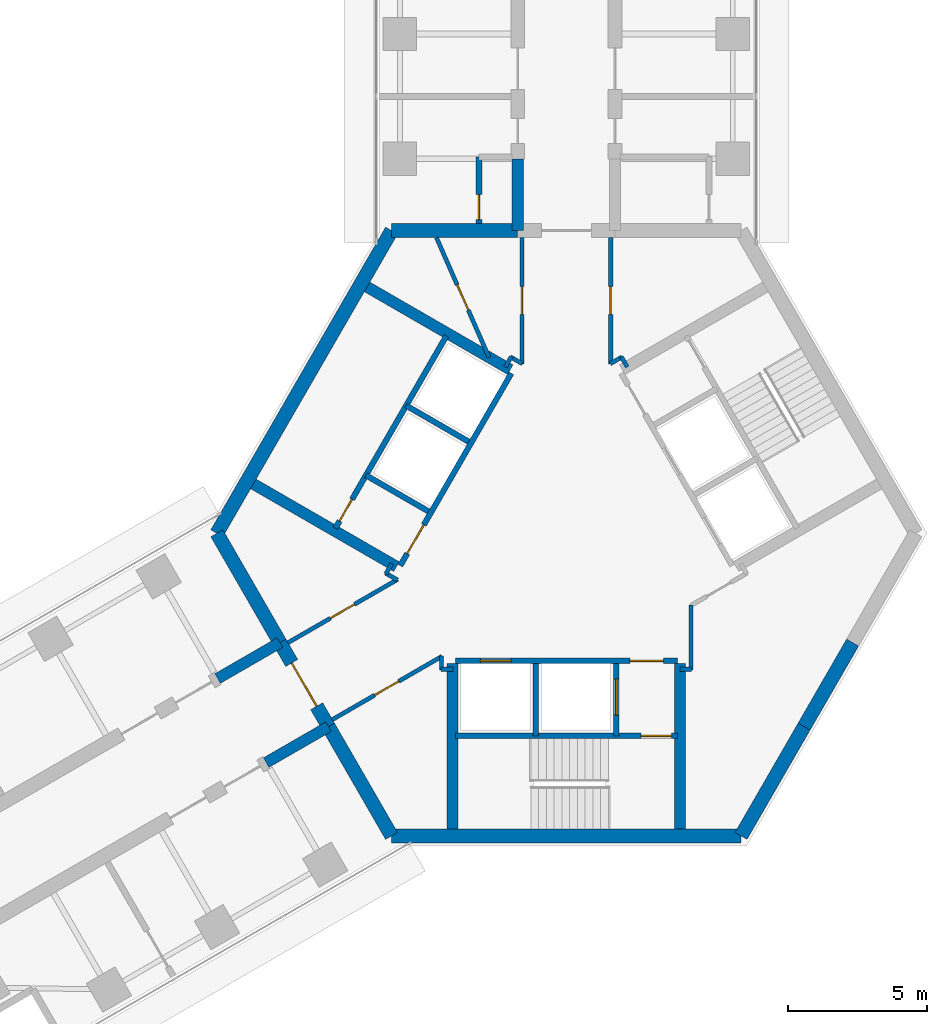
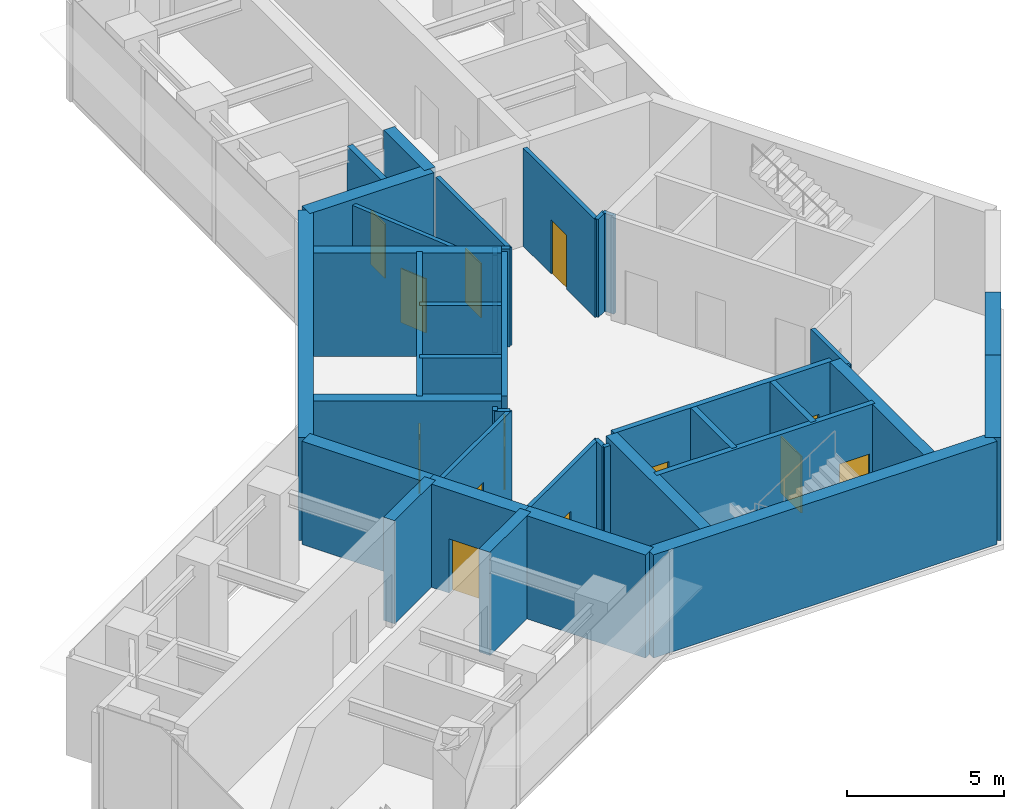
# One storey, part 14 of 17: 39 walls, 13 doors, 13 openings.
"""IFC4 building model written with IfcOpenShell, lengths in metres."""

from ifc_helpers import new_model, si_unit, direction, frame, frame_2d, origin, place, context, subcontext, project, spatial, rectangle, extrude, material, layer, layer_set, type_object, element, fill, save


model = new_model("IFC4")

# Units and contexts
model_context = context("Model", 3, precision=1e-05, world=origin(), true_north=direction((0.0, 1.0)))
body_context = subcontext(model_context, "Body", "Model", "MODEL_VIEW")
ifc_project = project(units=[si_unit("LENGTHUNIT", "METRE"), si_unit("AREAUNIT", "SQUARE_METRE"), si_unit("VOLUMEUNIT", "CUBIC_METRE"), si_unit("PLANEANGLEUNIT", "RADIAN"), si_unit("MASSUNIT", "GRAM", prefix="KILO")], contexts=[model_context])

# Site, building, storey
site_placement = place(None, origin())
site = spatial("IfcSite", under=ifc_project, at=site_placement, CompositionType="ELEMENT")
building_placement = place(site_placement, origin())
building = spatial("IfcBuilding", under=site, at=building_placement, Name="Upepo Twin Towers", CompositionType="ELEMENT")
storey_placement = place(building_placement, frame((0.0, 0.0, 174.5)))
storey = spatial("IfcBuildingStorey", under=building, at=storey_placement, Name="L42", CompositionType="ELEMENT", Elevation=174.5)

# Wall, opening, door
ifc_material_1 = material(Name="Concrete blockwork, plastered both faces", Category="masonry")
ifc_layer_1 = layer(ifc_material_1, 0.215087890625)
ifc_layer_set_1 = layer_set([ifc_layer_1], Name="Blockwork partition 215")
wall_type_1 = type_object("IfcWallType", Name="Blockwork partition 215", PredefinedType="PARTITIONING", material=ifc_layer_set_1)
wall_1_placement = place(storey_placement, frame((55.35009765625, -6.842041015625, 0.0), z_axis=(0.0, 0.0, 1.0), x_axis=(0.0, 1.0, 0.0)))
wall_1 = element("IfcWall", 1, at=wall_1_placement, inside=storey, type_object=wall_type_1, Name="T2 WC bay partition AL at 11.16", PredefinedType="PARTITIONING", context=body_context, shape_type="SweptSolid", body=[
    extrude(rectangle(XDim=2.400146484375, YDim=0.215087890625, at=frame_2d((1.2001953125, 0.0))), origin(), (0.0, 0.0, 1.0), 3.800048828125),
])
opening_1_placement = place(wall_1_placement, frame((0.14990234375, 0.0, 0.0)))
opening_1 = element("IfcOpeningElement", 2, at=opening_1_placement, cuts=wall_1, Name="Opening D14", PredefinedType="OPENING", context=body_context, shape_type="SweptSolid", body=[
    extrude(rectangle(XDim=0.89990234375, YDim=2.10009765625, at=frame_2d((0.449951171875, 1.050048828125))), frame((0.0, 0.117431640625, 0.0), z_axis=(0.0, -1.0, 0.0), x_axis=(1.0, 0.0, 0.0)), (0.0, 0.0, 1.0), 0.235107421875),
])
ifc_material_2 = material(Name="Timber doorset", Category="wood")
door_type_1 = type_object("IfcDoorType", Name="Office door 900 FD30", OperationType="SINGLE_SWING_LEFT", PredefinedType="DOOR", material=ifc_material_2)
door_1_placement = place(opening_1_placement, origin())
door_1 = element("IfcDoor", 3, at=door_1_placement, inside=storey, type_object=door_type_1, Name="T2 L42 WC bay inner room door", OperationType="SINGLE_SWING_LEFT", OverallHeight=2.10009765625, OverallWidth=0.89990234375, PredefinedType="DOOR", context=body_context, shape_type="SweptSolid", body=[
    extrude(rectangle(XDim=0.89990234375, YDim=2.10009765625, at=frame_2d((0.449951171875, 1.050048828125))), frame((0.0, 0.02490234375, 0.0), z_axis=(0.0, -1.0, 0.0), x_axis=(1.0, 0.0, 0.0)), (0.0, 0.0, 1.0), 0.050048828125),
])
fill(opening_1, door_1)

# Walls
ifc_material_3 = material(Name="Concrete C60/75", Category="concrete")
ifc_layer_2 = layer(ifc_material_3, 0.39990234375)
ifc_layer_set_2 = layer_set([ifc_layer_2], Name="Concrete C60/75")
wall_type_2 = type_object("IfcWallType", Name="Buttress wall 400 RC", PredefinedType="SHEAR", material=ifc_layer_set_2)
wall_2_placement = place(storey_placement, frame((56.75, -7.091552734375, 0.0), z_axis=(0.0, 0.0, 1.0), x_axis=(0.0, 1.0, 0.0)))
element("IfcWall", 4, at=wall_2_placement, inside=storey, type_object=wall_type_2, Name="T2 wing A buttress wall L", PredefinedType="SHEAR", context=body_context, shape_type="SweptSolid", body=[
    extrude(rectangle(XDim=2.591552734375, YDim=0.39990234375, at=frame_2d((1.2958984375, 0.0))), origin(), (0.0, 0.0, 1.0), 4.0),
])
for number, where, z_axis, x_axis, name in (
    (5, (49.92822265625, -24.9697265625, 0.0), (0.0, 0.0, 1.0), (-0.866031863473, -0.499988811324, 0.0), "T2 wing B buttress wall L"),
    (6, (48.17822265625, -21.938720703125, 0.0), (0.0, 0.0, 1.0), (-0.866072649678, -0.499918158782, 0.0), "T2 wing B buttress wall R"),
):
    element("IfcWall", number, at=place(storey_placement, frame(where, z_axis=z_axis, x_axis=x_axis)), inside=storey, type_object=wall_type_2, Name=name, PredefinedType="SHEAR", context=body_context, shape_type="SweptSolid", body=[
        extrude(rectangle(XDim=2.591796875, YDim=0.39990234375, at=frame_2d((1.2958984375, 0.0))), origin(), (0.0, 0.0, 1.0), 4.0),
    ])
ifc_material_4 = material(Name="Concrete C60/75", Category="concrete")
ifc_layer_3 = layer(ifc_material_4, 0.5)
ifc_layer_set_3 = layer_set([ifc_layer_3], Name="Concrete C60/75")
wall_type_3 = type_object("IfcWallType", Name="Core wall 500 RC", PredefinedType="SHEAR", material=ifc_layer_set_3)
wall_3_placement = place(storey_placement, frame((56.75, -7.091552734375, 0.0), z_axis=(0.0, 0.0, 1.0), x_axis=(-1.0, 0.0, 0.0)))
element("IfcWall", 7, at=wall_3_placement, inside=storey, type_object=wall_type_3, Name="T2 core wall 000 L", PredefinedType="SHEAR", context=body_context, shape_type="SweptSolid", body=[
    extrude(rectangle(XDim=4.5478515625, YDim=0.5, at=frame_2d((2.27392578125, 0.0))), origin(), (0.0, 0.0, 1.0), 4.0),
])
wall_4_placement = place(storey_placement, frame((52.2021484375, -7.091552734375, 0.0), z_axis=(0.0, 0.0, 1.0), x_axis=(-0.500005998175, -0.866021940709, 0.0)))
element("IfcWall", 8, at=wall_4_placement, inside=storey, type_object=wall_type_3, Name="T2 core wall 060", PredefinedType="SHEAR", context=body_context, shape_type="SweptSolid", body=[
    extrude(rectangle(XDim=12.595947265625, YDim=0.5, at=frame_2d((6.2978515625, 0.0))), origin(), (0.0, 0.0, 1.0), 4.0),
])
wall_5_placement = place(storey_placement, frame((45.904052734375, -18.0, 0.0), z_axis=(0.0, 0.0, 1.0), x_axis=(0.500024481964, -0.866011268655, 0.0)))
element("IfcWall", 9, at=wall_5_placement, inside=storey, type_object=wall_type_3, Name="T2 core wall 120 R", PredefinedType="SHEAR", context=body_context, shape_type="SweptSolid", body=[
    extrude(rectangle(XDim=4.548095703125, YDim=0.5, at=frame_2d((2.27392578125, 0.0))), origin(), (0.0, 0.0, 1.0), 4.0),
])

# Wall, opening, door
wall_6_placement = place(storey_placement, frame((48.17822265625, -21.938720703125, 0.0), z_axis=(0.0, 0.0, 1.0), x_axis=(0.500010275428, -0.866019471182, 0.0)))
wall_6 = element("IfcWall", 10, at=wall_6_placement, inside=storey, type_object=wall_type_3, Name="T2 core wall 120", PredefinedType="SHEAR", context=body_context, shape_type="SweptSolid", body=[
    extrude(rectangle(XDim=3.5, YDim=0.5, at=frame_2d((1.75, 0.0))), origin(), (0.0, 0.0, 1.0), 4.0),
])
opening_2_placement = place(wall_6_placement, frame((0.85009765625, 0.0, 0.0)))
opening_2 = element("IfcOpeningElement", 11, at=opening_2_placement, cuts=wall_6, Name="Opening D2", PredefinedType="OPENING", context=body_context, shape_type="SweptSolid", body=[
    extrude(rectangle(XDim=1.800048828125, YDim=2.10009765625, at=frame_2d((0.89990234375, 1.050048828125))), frame((0.0, 0.260009765625, 0.0), z_axis=(0.0, -1.0, 0.0), x_axis=(1.0, 0.0, 0.0)), (0.0, 0.0, 1.0), 0.52001953125),
])
ifc_material_5 = material(Name="Timber doorset", Category="wood")
door_type_2 = type_object("IfcDoorType", Name="Corridor double door 1800 FD60", OperationType="DOUBLE_DOOR_DOUBLE_SWING", PredefinedType="DOOR", material=ifc_material_5)
door_2_placement = place(opening_2_placement, origin())
door_2 = element("IfcDoor", 12, at=door_2_placement, inside=storey, type_object=door_type_2, Name="T2 L42 wing B corridor door", OperationType="DOUBLE_DOOR_DOUBLE_SWING", OverallHeight=2.10009765625, OverallWidth=1.800048828125, PredefinedType="DOOR", context=body_context, shape_type="SweptSolid", body=[
    extrude(rectangle(XDim=1.800048828125, YDim=2.10009765625, at=frame_2d((0.89990234375, 1.050048828125))), frame((0.0, 0.02490234375, 0.0), z_axis=(0.0, -1.0, 0.0), x_axis=(1.0, 0.0, 0.0)), (0.0, 0.0, 1.0), 0.050048828125),
])
fill(opening_2, door_2)

# Walls
wall_7_placement = place(storey_placement, frame((49.92822265625, -24.9697265625, 0.0), z_axis=(0.0, 0.0, 1.0), x_axis=(0.499984222037, -0.866034513004, 0.0)))
element("IfcWall", 13, at=wall_7_placement, inside=storey, type_object=wall_type_3, Name="T2 core wall 120 L", PredefinedType="SHEAR", context=body_context, shape_type="SweptSolid", body=[
    extrude(rectangle(XDim=4.548095703125, YDim=0.5, at=frame_2d((2.27392578125, 0.0))), origin(), (0.0, 0.0, 1.0), 4.0),
])
wall_8_placement = place(storey_placement, frame((52.2021484375, -28.908447265625, 0.0), z_axis=(0.0, 0.0, 1.0), x_axis=(1.0, 0.0, 0.0)))
element("IfcWall", 14, at=wall_8_placement, inside=storey, type_object=wall_type_3, Name="T2 core wall 180", PredefinedType="SHEAR", context=body_context, shape_type="SweptSolid", body=[
    extrude(rectangle(XDim=12.595703125, YDim=0.5, at=frame_2d((6.2978515625, 0.0))), origin(), (0.0, 0.0, 1.0), 4.0),
])
wall_9_placement = place(storey_placement, frame((64.7978515625, -28.908447265625, 0.0), z_axis=(0.0, 0.0, 1.0), x_axis=(0.499984222037, 0.866034513004, 0.0)))
element("IfcWall", 15, at=wall_9_placement, inside=storey, type_object=wall_type_3, Name="T2 core wall 240 R", PredefinedType="SHEAR", context=body_context, shape_type="SweptSolid", body=[
    extrude(rectangle(XDim=4.548095703125, YDim=0.5, at=frame_2d((2.27392578125, 0.0))), origin(), (0.0, 0.0, 1.0), 4.0),
])
wall_10_placement = place(storey_placement, frame((67.07177734375, -24.9697265625, 0.0), z_axis=(0.0, 0.0, 1.0), x_axis=(0.500010275428, 0.866019471182, 0.0)))
element("IfcWall", 16, at=wall_10_placement, inside=storey, type_object=wall_type_3, Name="T2 core wall 240", PredefinedType="SHEAR", context=body_context, shape_type="SweptSolid", body=[
    extrude(rectangle(XDim=3.5, YDim=0.5, at=frame_2d((1.75, 0.0))), origin(), (0.0, 0.0, 1.0), 4.0),
])

# Wall, opening, door
ifc_material_6 = material(Name="Concrete C40/50", Category="concrete")
ifc_layer_4 = layer(ifc_material_6, 0.199951171875)
ifc_layer_set_4 = layer_set([ifc_layer_4], Name="Concrete C40/50")
wall_type_4 = type_object("IfcWallType", Name="Shaft wall 200 RC", PredefinedType="SHEAR", material=ifc_layer_set_4)
wall_11_placement = place(storey_placement, frame((56.516357421875, -12.23583984375, 0.0), z_axis=(0.0, 0.0, 1.0), x_axis=(-0.49999894854, -0.866026010844, 0.0)))
wall_11 = element("IfcWall", 17, at=wall_11_placement, inside=storey, type_object=wall_type_4, Name="T2 core W60 front wall", PredefinedType="SHEAR", context=body_context, shape_type="SweptSolid", body=[
    extrude(rectangle(XDim=8.0, YDim=0.199951171875, at=frame_2d((4.0, 0.0))), origin(), (0.0, 0.0, 1.0), 4.0),
])
opening_3_placement = place(wall_11_placement, frame((6.300048828125, 0.0, 0.0)))
opening_3 = element("IfcOpeningElement", 18, at=opening_3_placement, cuts=wall_11, Name="Opening D4", PredefinedType="OPENING", context=body_context, shape_type="SweptSolid", body=[
    extrude(rectangle(XDim=1.199951171875, YDim=2.10009765625, at=frame_2d((0.60009765625, 1.050048828125))), frame((0.0, 0.10986328125, 0.0), z_axis=(0.0, -1.0, 0.0), x_axis=(1.0, 0.0, 0.0)), (0.0, 0.0, 1.0), 0.219970703125),
])
ifc_material_7 = material(Name="Timber doorset", Category="wood")
door_type_3 = type_object("IfcDoorType", Name="Lobby door 1200 FD60", OperationType="SINGLE_SWING_LEFT", PredefinedType="DOOR", material=ifc_material_7)
door_3_placement = place(opening_3_placement, origin())
door_3 = element("IfcDoor", 19, at=door_3_placement, inside=storey, type_object=door_type_3, Name="T2 L42 W60 lobby door", OperationType="SINGLE_SWING_RIGHT", OverallHeight=2.10009765625, OverallWidth=1.199951171875, PredefinedType="DOOR", context=body_context, shape_type="SweptSolid", body=[
    extrude(rectangle(XDim=1.199951171875, YDim=2.10009765625, at=frame_2d((0.60009765625, 1.050048828125))), frame((0.0, 0.02490234375, 0.0), z_axis=(0.0, -1.0, 0.0), x_axis=(1.0, 0.0, 0.0)), (0.0, 0.0, 1.0), 0.050048828125),
])
fill(opening_3, door_3)

# Walls
for number, where, z_axis, x_axis, name in (
    (20, (54.979736328125, -14.697265625, 0.0), (0.0, 0.0, 1.0), (-0.866062058628, 0.499936506574, 0.0), "T2 core W60 shaft divider"),
    (21, (53.52978515625, -17.208740234375, 0.0), (0.0, 0.0, 1.0), (-0.866062058628, 0.499936506574, 0.0), "T2 core W60 lobby wall"),
):
    element("IfcWall", number, at=place(storey_placement, frame(where, z_axis=z_axis, x_axis=x_axis)), inside=storey, type_object=wall_type_4, Name=name, PredefinedType="SHEAR", context=body_context, shape_type="SweptSolid", body=[
        extrude(rectangle(XDim=2.599853515625, YDim=0.199951171875, at=frame_2d((1.2998046875, 0.0))), origin(), (0.0, 0.0, 1.0), 4.0),
    ])

# Wall, opening, door
wall_12_placement = place(storey_placement, frame((54.177978515625, -10.885986328125, 0.0), z_axis=(0.0, 0.0, 1.0), x_axis=(-0.49999894854, -0.866026010844, 0.0)))
wall_12 = element("IfcWall", 22, at=wall_12_placement, inside=storey, type_object=wall_type_4, Name="T2 core W60 stair wall", PredefinedType="SHEAR", context=body_context, shape_type="SweptSolid", body=[
    extrude(rectangle(XDim=8.0, YDim=0.199951171875, at=frame_2d((4.0, 0.0))), origin(), (0.0, 0.0, 1.0), 4.0),
])
opening_4_placement = place(wall_12_placement, frame((6.800048828125, 0.0, 0.0)))
opening_4 = element("IfcOpeningElement", 23, at=opening_4_placement, cuts=wall_12, Name="Opening D9", PredefinedType="OPENING", context=body_context, shape_type="SweptSolid", body=[
    extrude(rectangle(XDim=0.89990234375, YDim=2.10009765625, at=frame_2d((0.449951171875, 1.050048828125))), frame((0.0, 0.10986328125, 0.0), z_axis=(0.0, -1.0, 0.0), x_axis=(1.0, 0.0, 0.0)), (0.0, 0.0, 1.0), 0.219970703125),
])
ifc_material_8 = material(Name="Timber doorset", Category="wood")
door_type_4 = type_object("IfcDoorType", Name="Riser door 900 FD60", OperationType="SINGLE_SWING_LEFT", PredefinedType="DOOR", material=ifc_material_8)
door_4_placement = place(opening_4_placement, origin())
door_4 = element("IfcDoor", 24, at=door_4_placement, inside=storey, type_object=door_type_4, Name="T2 L42 riser door", OperationType="SINGLE_SWING_RIGHT", OverallHeight=2.10009765625, OverallWidth=0.89990234375, PredefinedType="DOOR", context=body_context, shape_type="SweptSolid", body=[
    extrude(rectangle(XDim=0.89990234375, YDim=2.10009765625, at=frame_2d((0.449951171875, 1.050048828125))), frame((0.0, 0.02490234375, 0.0), z_axis=(0.0, -1.0, 0.0), x_axis=(1.0, 0.0, 0.0)), (0.0, 0.0, 1.0), 0.050048828125),
])
fill(opening_4, door_4)

# Wall, openings, doors
wall_13_placement = place(storey_placement, frame((54.5, -22.60009765625, 0.0), z_axis=(0.0, 0.0, 1.0), x_axis=(1.0, 0.0, 0.0)))
wall_13 = element("IfcWall", 25, at=wall_13_placement, inside=storey, type_object=wall_type_4, Name="T2 core W180 front wall", PredefinedType="SHEAR", context=body_context, shape_type="SweptSolid", body=[
    extrude(rectangle(XDim=8.0, YDim=0.199951171875, at=frame_2d((4.0, 0.0))), origin(), (0.0, 0.0, 1.0), 4.0),
])
opening_5_placement = place(wall_13_placement, frame((6.300048828125, 0.0, 0.0)))
opening_5 = element("IfcOpeningElement", 26, at=opening_5_placement, cuts=wall_13, Name="Opening D4", PredefinedType="OPENING", context=body_context, shape_type="SweptSolid", body=[
    extrude(rectangle(XDim=1.199951171875, YDim=2.10009765625, at=frame_2d((0.60009765625, 1.050048828125))), frame((0.0, 0.10986328125, 0.0), z_axis=(0.0, -1.0, 0.0), x_axis=(1.0, 0.0, 0.0)), (0.0, 0.0, 1.0), 0.219970703125),
])
opening_6_placement = place(wall_13_placement, frame((0.89990234375, 0.0, 0.0)))
opening_6 = element("IfcOpeningElement", 27, at=opening_6_placement, cuts=wall_13, Name="Opening LD1", PredefinedType="OPENING", context=body_context, shape_type="SweptSolid", body=[
    extrude(rectangle(XDim=1.10009765625, YDim=2.199951171875, at=frame_2d((0.550048828125, 1.10009765625))), frame((0.0, 0.10986328125, 0.0), z_axis=(0.0, -1.0, 0.0), x_axis=(1.0, 0.0, 0.0)), (0.0, 0.0, 1.0), 0.219970703125),
])
ifc_material_9 = material(Name="Steel doorset", Category="steel")
door_type_5 = type_object("IfcDoorType", Name="Lift landing door 1100", OperationType="DOUBLE_DOOR_SLIDING", PredefinedType="DOOR", material=ifc_material_9)
door_5_placement = place(opening_6_placement, origin())
door_5 = element("IfcDoor", 28, at=door_5_placement, inside=storey, type_object=door_type_5, Name="T2 L42 lift SV1 landing door", OperationType="DOUBLE_DOOR_SLIDING", OverallHeight=2.199951171875, OverallWidth=1.10009765625, PredefinedType="DOOR", context=body_context, shape_type="SweptSolid", body=[
    extrude(rectangle(XDim=1.10009765625, YDim=2.199951171875, at=frame_2d((0.550048828125, 1.10009765625))), frame((0.0, 0.02490234375, 0.0), z_axis=(0.0, -1.0, 0.0), x_axis=(1.0, 0.0, 0.0)), (0.0, 0.0, 1.0), 0.050048828125),
])
fill(opening_6, door_5)
door_6_placement = place(opening_5_placement, origin())
door_6 = element("IfcDoor", 29, at=door_6_placement, inside=storey, type_object=door_type_3, Name="T2 L42 W180 lobby door", OperationType="SINGLE_SWING_RIGHT", OverallHeight=2.10009765625, OverallWidth=1.199951171875, PredefinedType="DOOR", context=body_context, shape_type="SweptSolid", body=[
    extrude(rectangle(XDim=1.199951171875, YDim=2.10009765625, at=frame_2d((0.60009765625, 1.050048828125))), frame((0.0, 0.02490234375, 0.0), z_axis=(0.0, -1.0, 0.0), x_axis=(1.0, 0.0, 0.0)), (0.0, 0.0, 1.0), 0.050048828125),
])
fill(opening_5, door_6)

# Wall
wall_14_placement = place(storey_placement, frame((57.39990234375, -22.699951171875, 0.0), z_axis=(0.0, 0.0, 1.0), x_axis=(0.0, -1.0, 0.0)))
element("IfcWall", 30, at=wall_14_placement, inside=storey, type_object=wall_type_4, Name="T2 core W180 shaft divider", PredefinedType="SHEAR", context=body_context, shape_type="SweptSolid", body=[
    extrude(rectangle(XDim=2.60009765625, YDim=0.199951171875, at=frame_2d((1.300048828125, 0.0))), origin(), (0.0, 0.0, 1.0), 4.0),
])

# Wall, opening, door
wall_15_placement = place(storey_placement, frame((60.300048828125, -22.699951171875, 0.0), z_axis=(0.0, 0.0, 1.0), x_axis=(0.0, -1.0, 0.0)))
wall_15 = element("IfcWall", 31, at=wall_15_placement, inside=storey, type_object=wall_type_4, Name="T2 core W180 lobby wall", PredefinedType="SHEAR", context=body_context, shape_type="SweptSolid", body=[
    extrude(rectangle(XDim=2.60009765625, YDim=0.199951171875, at=frame_2d((1.300048828125, 0.0))), origin(), (0.0, 0.0, 1.0), 4.0),
])
opening_7_placement = place(wall_15_placement, frame((0.550048828125, 0.0, 0.0)))
opening_7 = element("IfcOpeningElement", 32, at=opening_7_placement, cuts=wall_15, Name="Opening LD2", PredefinedType="OPENING", context=body_context, shape_type="SweptSolid", body=[
    extrude(rectangle(XDim=1.300048828125, YDim=2.199951171875, at=frame_2d((0.64990234375, 1.10009765625))), frame((0.0, 0.10986328125, 0.0), z_axis=(0.0, -1.0, 0.0), x_axis=(1.0, 0.0, 0.0)), (0.0, 0.0, 1.0), 0.219970703125),
])
ifc_material_10 = material(Name="Steel doorset", Category="steel")
door_type_6 = type_object("IfcDoorType", Name="Firefighting lift landing door 1300", OperationType="DOUBLE_DOOR_SLIDING", PredefinedType="DOOR", material=ifc_material_10)
door_7_placement = place(opening_7_placement, origin())
door_7 = element("IfcDoor", 33, at=door_7_placement, inside=storey, type_object=door_type_6, Name="T2 L42 firefighting lift landing door", OperationType="DOUBLE_DOOR_SLIDING", OverallHeight=2.199951171875, OverallWidth=1.300048828125, PredefinedType="DOOR", context=body_context, shape_type="SweptSolid", body=[
    extrude(rectangle(XDim=1.300048828125, YDim=2.199951171875, at=frame_2d((0.64990234375, 1.10009765625))), frame((0.0, 0.02490234375, 0.0), z_axis=(0.0, -1.0, 0.0), x_axis=(1.0, 0.0, 0.0)), (0.0, 0.0, 1.0), 0.050048828125),
])
fill(opening_7, door_7)

wall_16_placement = place(storey_placement, frame((54.5, -25.300048828125, 0.0), z_axis=(0.0, 0.0, 1.0), x_axis=(1.0, 0.0, 0.0)))
wall_16 = element("IfcWall", 34, at=wall_16_placement, inside=storey, type_object=wall_type_4, Name="T2 core W180 stair wall", PredefinedType="SHEAR", context=body_context, shape_type="SweptSolid", body=[
    extrude(rectangle(XDim=8.0, YDim=0.199951171875, at=frame_2d((4.0, 0.0))), origin(), (0.0, 0.0, 1.0), 4.0),
])
opening_8_placement = place(wall_16_placement, frame((6.699951171875, 0.0, 0.0)))
opening_8 = element("IfcOpeningElement", 35, at=opening_8_placement, cuts=wall_16, Name="Opening D3", PredefinedType="OPENING", context=body_context, shape_type="SweptSolid", body=[
    extrude(rectangle(XDim=1.10009765625, YDim=2.10009765625, at=frame_2d((0.550048828125, 1.050048828125))), frame((0.0, 0.10986328125, 0.0), z_axis=(0.0, -1.0, 0.0), x_axis=(1.0, 0.0, 0.0)), (0.0, 0.0, 1.0), 0.219970703125),
])
ifc_material_11 = material(Name="Timber doorset", Category="wood")
door_type_7 = type_object("IfcDoorType", Name="Stair door 1100 FD60", OperationType="SINGLE_SWING_LEFT", PredefinedType="DOOR", material=ifc_material_11)
door_8_placement = place(opening_8_placement, origin())
door_8 = element("IfcDoor", 36, at=door_8_placement, inside=storey, type_object=door_type_7, Name="T2 L42 stair door", OperationType="SINGLE_SWING_RIGHT", OverallHeight=2.10009765625, OverallWidth=1.10009765625, PredefinedType="DOOR", context=body_context, shape_type="SweptSolid", body=[
    extrude(rectangle(XDim=1.10009765625, YDim=2.10009765625, at=frame_2d((0.550048828125, 1.050048828125))), frame((0.0, 0.02490234375, 0.0), z_axis=(0.0, -1.0, 0.0), x_axis=(1.0, 0.0, 0.0)), (0.0, 0.0, 1.0), 0.050048828125),
])
fill(opening_8, door_8)

# Walls
ifc_material_12 = material(Name="Concrete C40/50", Category="concrete")
ifc_layer_5 = layer(ifc_material_12, 0.39990234375)
ifc_layer_set_5 = layer_set([ifc_layer_5], Name="Concrete C40/50")
wall_type_5 = type_object("IfcWallType", Name="Shaft wall 400 RC", PredefinedType="SHEAR", material=ifc_layer_set_5)
wall_17_placement = place(storey_placement, frame((52.379638671875, -19.20068359375, 0.0), z_axis=(0.0, 0.0, 1.0), x_axis=(-0.866012946976, 0.500021575205, 0.0)))
element("IfcWall", 37, at=wall_17_placement, inside=storey, type_object=wall_type_5, Name="T2 core W60 side wall N", PredefinedType="SHEAR", context=body_context, shape_type="SweptSolid", body=[
    extrude(rectangle(XDim=5.958251953125, YDim=0.39990234375, at=frame_2d((2.97900390625, 0.0))), origin(), (0.0, 0.0, 1.0), 4.0),
])
for number, where, z_axis, x_axis, name in (
    (38, (56.479736328125, -12.099365234375, 0.0), (0.0, 0.0, 1.0), (-0.86602319114, 0.500003832394, 0.0), "T2 core W60 side wall S"),
    (39, (62.60009765625, -22.699951171875, 0.0), (0.0, 0.0, 1.0), (0.0, -1.0, 0.0), "T2 core W180 side wall N"),
    (40, (54.39990234375, -22.699951171875, 0.0), (0.0, 0.0, 1.0), (0.0, -1.0, 0.0), "T2 core W180 side wall S"),
):
    element("IfcWall", number, at=place(storey_placement, frame(where, z_axis=z_axis, x_axis=x_axis)), inside=storey, type_object=wall_type_5, Name=name, PredefinedType="SHEAR", context=body_context, shape_type="SweptSolid", body=[
        extrude(rectangle(XDim=5.95849609375, YDim=0.39990234375, at=frame_2d((2.979248046875, 0.0))), origin(), (0.0, 0.0, 1.0), 4.0),
    ])
ifc_material_13 = material(Name="Gypsum board on steel studs", Category="steel")
ifc_layer_6 = layer(ifc_material_13, 0.14990234375)
ifc_layer_set_6 = layer_set([ifc_layer_6], Name="Teaching partition 150 acoustic")
wall_type_6 = type_object("IfcWallType", Name="Teaching partition 150 acoustic", PredefinedType="PARTITIONING", material=ifc_layer_set_6)
for number, where, z_axis, x_axis, name in (
    (41, (63.02001953125, -22.89990234375, 0.0), (0.0, 0.0, 1.0), (-1.0, 0.0, 0.0), "T2 core room partition 1"),
    (42, (54.409912109375, -22.89990234375, 0.0), (0.0, 0.0, 1.0), (-1.0, 0.0, 0.0), "T2 core room partition 2"),
):
    element("IfcWall", number, at=place(storey_placement, frame(where, z_axis=z_axis, x_axis=x_axis)), inside=storey, type_object=wall_type_6, Name=name, PredefinedType="PARTITIONING", context=body_context, shape_type="SweptSolid", body=[
        extrude(rectangle(XDim=0.429931640625, YDim=0.14990234375, at=frame_2d((0.21484375, 0.0))), origin(), (0.0, 0.0, 1.0), 3.800048828125),
    ])
wall_18_placement = place(storey_placement, frame((54.0, -22.919921875, 0.0), z_axis=(0.0, 0.0, 1.0), x_axis=(0.0, 1.0, 0.0)))
element("IfcWall", 43, at=wall_18_placement, inside=storey, type_object=wall_type_6, Name="T2 core room partition 3", PredefinedType="PARTITIONING", context=body_context, shape_type="SweptSolid", body=[
    extrude(rectangle(XDim=0.494384765625, YDim=0.14990234375, at=frame_2d((0.2470703125, 0.0))), origin(), (0.0, 0.0, 1.0), 3.800048828125),
])

# Wall, opening, door
wall_19_placement = place(storey_placement, frame((54.017333984375, -22.435546875, 0.0), z_axis=(0.0, 0.0, 1.0), x_axis=(-0.866024503882, -0.500001558674, 0.0)))
wall_19 = element("IfcWall", 44, at=wall_19_placement, inside=storey, type_object=wall_type_6, Name="T2 core room partition 4", PredefinedType="PARTITIONING", context=body_context, shape_type="SweptSolid", body=[
    extrude(rectangle(XDim=4.568359375, YDim=0.14990234375, at=frame_2d((2.2841796875, 0.0))), origin(), (0.0, 0.0, 1.0), 3.800048828125),
])
opening_9_placement = place(wall_19_placement, frame((1.794189453125, 0.0, 0.0)))
opening_9 = element("IfcOpeningElement", 45, at=opening_9_placement, cuts=wall_19, Name="Opening D1", PredefinedType="OPENING", context=body_context, shape_type="SweptSolid", body=[
    extrude(rectangle(XDim=1.0, YDim=2.10009765625, at=frame_2d((0.5, 1.050048828125))), frame((0.0, 0.0849609375, 0.0), z_axis=(0.0, -1.0, 0.0), x_axis=(1.0, 0.0, 0.0)), (0.0, 0.0, 1.0), 0.169921875),
])
ifc_material_14 = material(Name="Timber doorset", Category="wood")
door_type_8 = type_object("IfcDoorType", Name="Room door 1000 FD30", OperationType="SINGLE_SWING_LEFT", PredefinedType="DOOR", material=ifc_material_14)
door_9_placement = place(opening_9_placement, origin())
door_9 = element("IfcDoor", 46, at=door_9_placement, inside=storey, type_object=door_type_8, Name="T2 L42 core room door K2", OperationType="SINGLE_SWING_RIGHT", OverallHeight=2.10009765625, OverallWidth=1.0, PredefinedType="DOOR", context=body_context, shape_type="SweptSolid", body=[
    extrude(rectangle(XDim=1.0, YDim=2.10009765625, at=frame_2d((0.5, 1.050048828125))), frame((0.0, 0.02490234375, 0.0), z_axis=(0.0, -1.0, 0.0), x_axis=(1.0, 0.0, 0.0)), (0.0, 0.0, 1.0), 0.050048828125),
])
fill(opening_9, door_9)

wall_20_placement = place(storey_placement, frame((48.4609375, -21.948486328125, 0.0), z_axis=(0.0, 0.0, 1.0), x_axis=(0.866024503882, 0.500001558674, 0.0)))
wall_20 = element("IfcWall", 47, at=wall_20_placement, inside=storey, type_object=wall_type_6, Name="T2 core room partition 5", PredefinedType="PARTITIONING", context=body_context, shape_type="SweptSolid", body=[
    extrude(rectangle(XDim=4.568359375, YDim=0.14990234375, at=frame_2d((2.2841796875, 0.0))), origin(), (0.0, 0.0, 1.0), 3.800048828125),
])
opening_10_placement = place(wall_20_placement, frame((1.774169921875, 0.0, 0.0)))
opening_10 = element("IfcOpeningElement", 48, at=opening_10_placement, cuts=wall_20, Name="Opening D1", PredefinedType="OPENING", context=body_context, shape_type="SweptSolid", body=[
    extrude(rectangle(XDim=1.0, YDim=2.10009765625, at=frame_2d((0.5, 1.050048828125))), frame((0.0, 0.0849609375, 0.0), z_axis=(0.0, -1.0, 0.0), x_axis=(1.0, 0.0, 0.0)), (0.0, 0.0, 1.0), 0.169921875),
])
door_10_placement = place(opening_10_placement, origin())
door_10 = element("IfcDoor", 49, at=door_10_placement, inside=storey, type_object=door_type_8, Name="T2 L42 core room door K1", OperationType="SINGLE_SWING_LEFT", OverallHeight=2.10009765625, OverallWidth=1.0, PredefinedType="DOOR", context=body_context, shape_type="SweptSolid", body=[
    extrude(rectangle(XDim=1.0, YDim=2.10009765625, at=frame_2d((0.5, 1.050048828125))), frame((0.0, 0.02490234375, 0.0), z_axis=(0.0, -1.0, 0.0), x_axis=(1.0, 0.0, 0.0)), (0.0, 0.0, 1.0), 0.050048828125),
])
fill(opening_10, door_10)

# Walls
wall_21_placement = place(storey_placement, frame((52.417236328125, -19.684326171875, 0.0), z_axis=(0.0, 0.0, 1.0), x_axis=(-0.865831790172, 0.50033519877, 0.0)))
element("IfcWall", 50, at=wall_21_placement, inside=storey, type_object=wall_type_6, Name="T2 core room partition 6", PredefinedType="PARTITIONING", context=body_context, shape_type="SweptSolid", body=[
    extrude(rectangle(XDim=0.494384765625, YDim=0.14990234375, at=frame_2d((0.2470703125, 0.0))), origin(), (0.0, 0.0, 1.0), 3.800048828125),
])
for number, where, z_axis, x_axis, name in (
    (51, (51.99658203125, -19.46435546875, 0.0), (0.0, 0.0, 1.0), (0.499804398801, 0.866138304741, 0.0), "T2 core room partition 7"),
    (52, (56.301513671875, -12.0078125, 0.0), (0.0, 0.0, 1.0), (0.500230298122, 0.865892400268, 0.0), "T2 core room partition 8"),
):
    element("IfcWall", number, at=place(storey_placement, frame(where, z_axis=z_axis, x_axis=x_axis)), inside=storey, type_object=wall_type_6, Name=name, PredefinedType="PARTITIONING", context=body_context, shape_type="SweptSolid", body=[
        extrude(rectangle(XDim=0.429931640625, YDim=0.14990234375, at=frame_2d((0.21484375, 0.0))), origin(), (0.0, 0.0, 1.0), 3.800048828125),
    ])
wall_22_placement = place(storey_placement, frame((56.4892578125, -11.642822265625, 0.0), z_axis=(0.0, 0.0, 1.0), x_axis=(0.865831790172, -0.50033519877, 0.0)))
element("IfcWall", 53, at=wall_22_placement, inside=storey, type_object=wall_type_6, Name="T2 core room partition 9", PredefinedType="PARTITIONING", context=body_context, shape_type="SweptSolid", body=[
    extrude(rectangle(XDim=0.494384765625, YDim=0.14990234375, at=frame_2d((0.2470703125, 0.0))), origin(), (0.0, 0.0, 1.0), 3.800048828125),
])

# Wall, opening, door
wall_23_placement = place(storey_placement, frame((56.89990234375, -11.900146484375, 0.0), z_axis=(0.0, 0.0, 1.0), x_axis=(0.0, 1.0, 0.0)))
wall_23 = element("IfcWall", 54, at=wall_23_placement, inside=storey, type_object=wall_type_6, Name="T2 core room partition 10", PredefinedType="PARTITIONING", context=body_context, shape_type="SweptSolid", body=[
    extrude(rectangle(XDim=4.568359375, YDim=0.14990234375, at=frame_2d((2.2841796875, 0.0))), origin(), (0.0, 0.0, 1.0), 3.800048828125),
])
opening_11_placement = place(wall_23_placement, frame((1.79443359375, 0.0, 0.0)))
opening_11 = element("IfcOpeningElement", 55, at=opening_11_placement, cuts=wall_23, Name="Opening D1", PredefinedType="OPENING", context=body_context, shape_type="SweptSolid", body=[
    extrude(rectangle(XDim=1.0, YDim=2.10009765625, at=frame_2d((0.5, 1.050048828125))), frame((0.0, 0.0849609375, 0.0), z_axis=(0.0, -1.0, 0.0), x_axis=(1.0, 0.0, 0.0)), (0.0, 0.0, 1.0), 0.169921875),
])
door_11_placement = place(opening_11_placement, origin())
door_11 = element("IfcDoor", 56, at=door_11_placement, inside=storey, type_object=door_type_8, Name="T2 L42 core room door K6", OperationType="SINGLE_SWING_RIGHT", OverallHeight=2.10009765625, OverallWidth=1.0, PredefinedType="DOOR", context=body_context, shape_type="SweptSolid", body=[
    extrude(rectangle(XDim=1.0, YDim=2.10009765625, at=frame_2d((0.5, 1.050048828125))), frame((0.0, 0.02490234375, 0.0), z_axis=(0.0, -1.0, 0.0), x_axis=(1.0, 0.0, 0.0)), (0.0, 0.0, 1.0), 0.050048828125),
])
fill(opening_11, door_11)

wall_24_placement = place(storey_placement, frame((60.10009765625, -7.331787109375, 0.0), z_axis=(0.0, 0.0, 1.0), x_axis=(0.0, -1.0, 0.0)))
wall_24 = element("IfcWall", 57, at=wall_24_placement, inside=storey, type_object=wall_type_6, Name="T2 core room partition 11", PredefinedType="PARTITIONING", context=body_context, shape_type="SweptSolid", body=[
    extrude(rectangle(XDim=4.568359375, YDim=0.14990234375, at=frame_2d((2.2841796875, 0.0))), origin(), (0.0, 0.0, 1.0), 3.800048828125),
])
opening_12_placement = place(wall_24_placement, frame((1.774169921875, 0.0, 0.0)))
opening_12 = element("IfcOpeningElement", 58, at=opening_12_placement, cuts=wall_24, Name="Opening D1", PredefinedType="OPENING", context=body_context, shape_type="SweptSolid", body=[
    extrude(rectangle(XDim=1.0, YDim=2.10009765625, at=frame_2d((0.5, 1.050048828125))), frame((0.0, 0.0849609375, 0.0), z_axis=(0.0, -1.0, 0.0), x_axis=(1.0, 0.0, 0.0)), (0.0, 0.0, 1.0), 0.169921875),
])
door_12_placement = place(opening_12_placement, origin())
door_12 = element("IfcDoor", 59, at=door_12_placement, inside=storey, type_object=door_type_8, Name="T2 L42 core room door K4", OperationType="SINGLE_SWING_LEFT", OverallHeight=2.10009765625, OverallWidth=1.0, PredefinedType="DOOR", context=body_context, shape_type="SweptSolid", body=[
    extrude(rectangle(XDim=1.0, YDim=2.10009765625, at=frame_2d((0.5, 1.050048828125))), frame((0.0, 0.02490234375, 0.0), z_axis=(0.0, -1.0, 0.0), x_axis=(1.0, 0.0, 0.0)), (0.0, 0.0, 1.0), 0.050048828125),
])
fill(opening_12, door_12)

# Walls
wall_25_placement = place(storey_placement, frame((60.082763671875, -11.89013671875, 0.0), z_axis=(0.0, 0.0, 1.0), x_axis=(0.865831790172, 0.50033519877, 0.0)))
element("IfcWall", 60, at=wall_25_placement, inside=storey, type_object=wall_type_6, Name="T2 core room partition 12", PredefinedType="PARTITIONING", context=body_context, shape_type="SweptSolid", body=[
    extrude(rectangle(XDim=0.494384765625, YDim=0.14990234375, at=frame_2d((0.2470703125, 0.0))), origin(), (0.0, 0.0, 1.0), 3.800048828125),
])
wall_26_placement = place(storey_placement, frame((60.4833984375, -11.635498046875, 0.0), z_axis=(0.0, 0.0, 1.0), x_axis=(0.500230298122, -0.865892400268, 0.0)))
element("IfcWall", 61, at=wall_26_placement, inside=storey, type_object=wall_type_6, Name="T2 core room partition 13", PredefinedType="PARTITIONING", context=body_context, shape_type="SweptSolid", body=[
    extrude(rectangle(XDim=0.429931640625, YDim=0.14990234375, at=frame_2d((0.21484375, 0.0))), origin(), (0.0, 0.0, 1.0), 3.800048828125),
])
wall_27_placement = place(storey_placement, frame((63.0, -20.578125, 0.0), z_axis=(0.0, 0.0, 1.0), x_axis=(0.0, -1.0, 0.0)))
element("IfcWall", 62, at=wall_27_placement, inside=storey, type_object=wall_type_6, Name="T2 core room partition 16", PredefinedType="PARTITIONING", context=body_context, shape_type="SweptSolid", body=[
    extrude(rectangle(XDim=2.341796875, YDim=0.14990234375, at=frame_2d((1.1708984375, 0.0))), origin(), (0.0, 0.0, 1.0), 3.800048828125),
])

# Wall, opening, door
wall_28_placement = place(storey_placement, frame((55.71484375, -11.65771484375, 0.0), z_axis=(0.0, 0.0, 1.0), x_axis=(-0.402073730919, 0.915607292951, 0.0)))
wall_28 = element("IfcWall", 63, at=wall_28_placement, inside=storey, type_object=wall_type_6, Name="T2 core room partition 17", PredefinedType="PARTITIONING", context=body_context, shape_type="SweptSolid", body=[
    extrude(rectangle(XDim=4.713623046875, YDim=0.14990234375, at=frame_2d((2.35693359375, 0.0))), origin(), (0.0, 0.0, 1.0), 3.800048828125),
])
opening_13_placement = place(wall_28_placement, frame((1.85693359375, 0.0, 0.0)))
opening_13 = element("IfcOpeningElement", 64, at=opening_13_placement, cuts=wall_28, Name="Opening D1", PredefinedType="OPENING", context=body_context, shape_type="SweptSolid", body=[
    extrude(rectangle(XDim=1.0, YDim=2.10009765625, at=frame_2d((0.5, 1.050048828125))), frame((0.0, 0.0849609375, 0.0), z_axis=(0.0, -1.0, 0.0), x_axis=(1.0, 0.0, 0.0)), (0.0, 0.0, 1.0), 0.169921875),
])
door_13_placement = place(opening_13_placement, origin())
door_13 = element("IfcDoor", 65, at=door_13_placement, inside=storey, type_object=door_type_8, Name="T2 L42 core room door K5", OperationType="SINGLE_SWING_LEFT", OverallHeight=2.10009765625, OverallWidth=1.0, PredefinedType="DOOR", context=body_context, shape_type="SweptSolid", body=[
    extrude(rectangle(XDim=1.0, YDim=2.10009765625, at=frame_2d((0.5, 1.050048828125))), frame((0.0, 0.02490234375, 0.0), z_axis=(0.0, -1.0, 0.0), x_axis=(1.0, 0.0, 0.0)), (0.0, 0.0, 1.0), 0.050048828125),
])
fill(opening_13, door_13)

save(model, "model.ifc")
